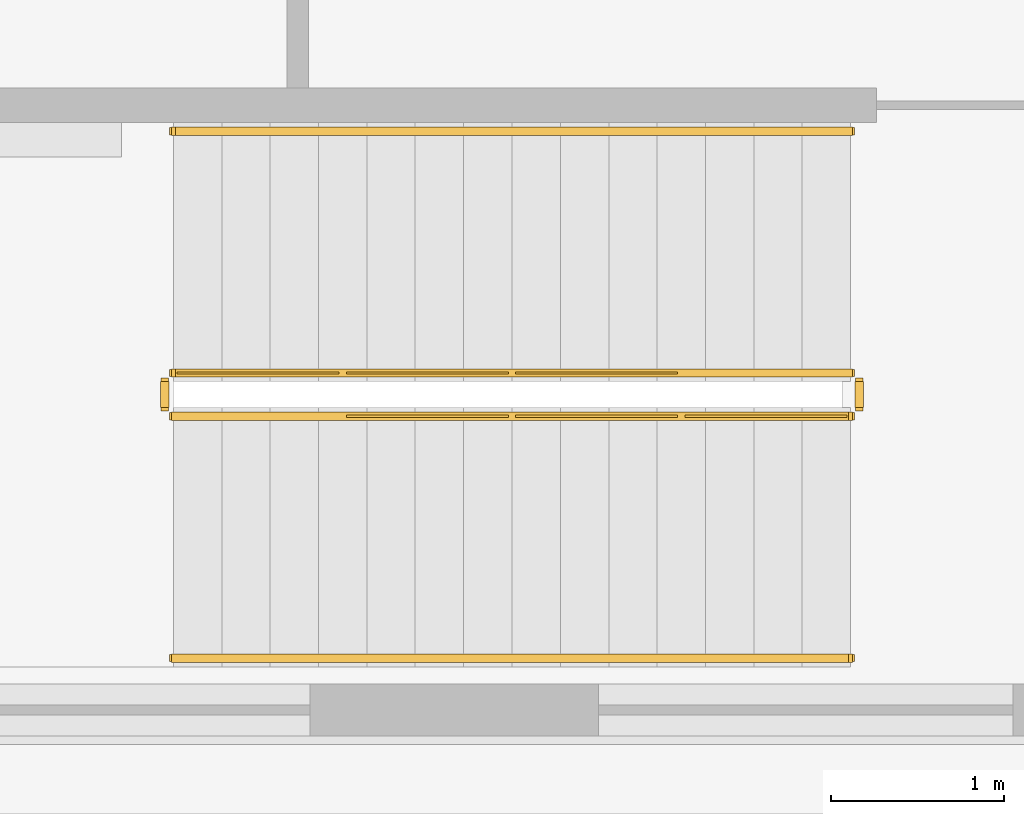
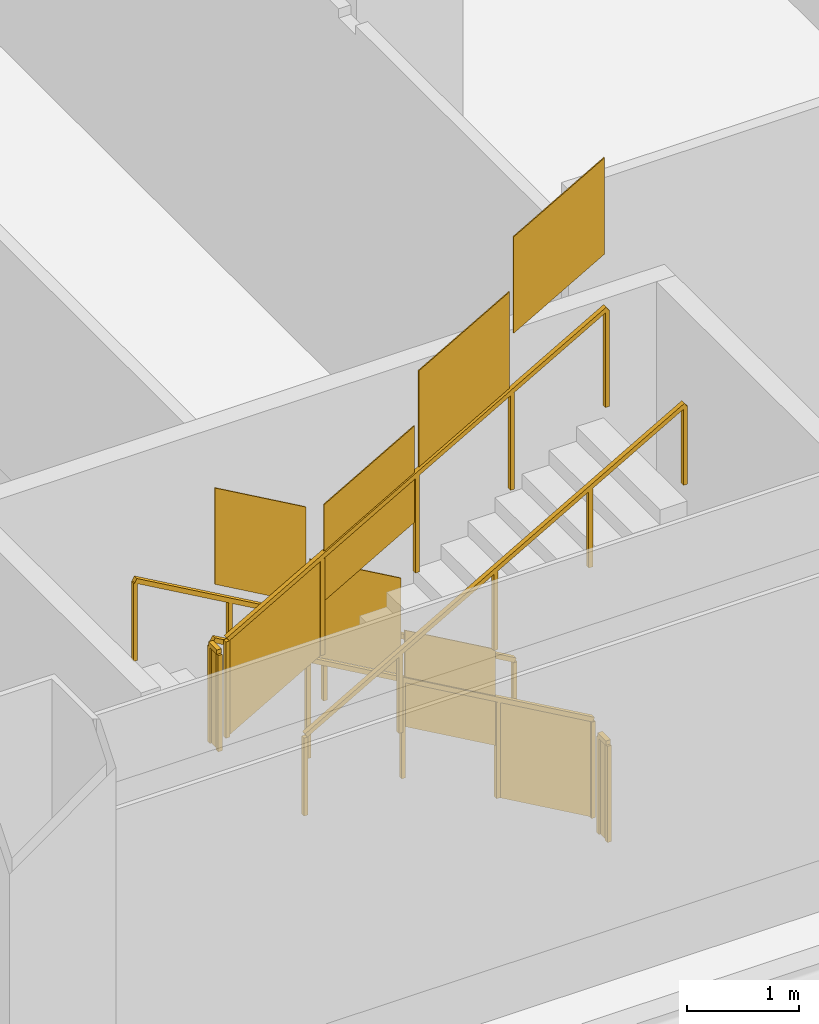
# One storey, part 21 of 26: 6 railings.
"""IFC4 building model written with IfcOpenShell, lengths in metres."""

from ifc_helpers import new_model, si_unit, direction, frame, origin, origin_2d, place, context, subcontext, project, spatial, polyline, rectangle, outline, extrude, material, type_object, element, save


model = new_model("IFC4")

# Units and contexts
model_context = context("Model", 3, precision=1e-05, world=origin(), true_north=direction((0.0, 1.0)))
body_context = subcontext(model_context, "Body", "Model", "MODEL_VIEW")
ifc_project = project(units=[si_unit("LENGTHUNIT", "METRE"), si_unit("AREAUNIT", "SQUARE_METRE"), si_unit("VOLUMEUNIT", "CUBIC_METRE"), si_unit("PLANEANGLEUNIT", "RADIAN"), si_unit("MASSUNIT", "GRAM", prefix="KILO")], contexts=[model_context])

# Site, building, storey
site_placement = place(None, origin())
site = spatial("IfcSite", under=ifc_project, at=site_placement, CompositionType="ELEMENT")
building_placement = place(site_placement, origin())
building = spatial("IfcBuilding", under=site, at=building_placement, Name="Cairn Pilgrim Tower", CompositionType="ELEMENT")
storey_placement = place(building_placement, frame((0.0, 0.0, 25.800048828125)))
storey = spatial("IfcBuildingStorey", under=building, at=storey_placement, Name="L04", CompositionType="ELEMENT", Elevation=25.800048828125)

# Railings
ifc_material = material(Name="Painted steel", Category="steel")
railing_type_1 = type_object("IfcRailingType", Name="PODIUM STAIR GUARD 1100", PredefinedType="GUARDRAIL", material=ifc_material)
railing_1_placement = place(storey_placement, frame((-25.60009765625, -26.25, 0.159912109375)))
element("IfcRailing", 1, at=railing_1_placement, inside=storey, type_object=railing_type_1, Name="L04 ST-HS stair guard 1", PredefinedType="GUARDRAIL", context=body_context, shape_type="SweptSolid", body=[
    extrude(rectangle(XDim=0.048095703125, YDim=0.048095703125, at=origin_2d()), frame((0.0, 0.0, 1.076171875), z_axis=(-0.868239814368, 0.0, 0.496144761885), x_axis=(0.0, -1.0, 0.0)), (0.0, 0.0, 1.0), 4.514892578125),
    extrude(rectangle(XDim=0.0419921875, YDim=0.0419921875, at=origin_2d()), origin(), (0.0, 0.0, 1.0), 1.052001953125),
    extrude(rectangle(XDim=0.0419921875, YDim=0.0419921875, at=origin_2d()), frame((-0.97998046875, 0.0, 0.56005859375)), (0.0, 0.0, 1.0), 1.052001953125),
    extrude(rectangle(XDim=0.0419921875, YDim=0.0419921875, at=origin_2d()), frame((-1.9599609375, 0.0, 1.1201171875)), (0.0, 0.0, 1.0), 1.052001953125),
    extrude(rectangle(XDim=0.0419921875, YDim=0.0419921875, at=origin_2d()), frame((-2.93994140625, 0.0, 1.679931640625)), (0.0, 0.0, 1.0), 1.052001953125),
    extrude(rectangle(XDim=0.0419921875, YDim=0.0419921875, at=origin_2d()), frame((-3.919921875, 0.0, 2.239990234375)), (0.0, 0.0, 1.0), 1.052001953125),
    extrude(outline(polyline([(0.02099609375, 0.011962890625), (0.958984375, 0.548095703125), (0.958984375, 1.60009765625), (0.02099609375, 1.06396484375), (0.02099609375, 0.011962890625)])), frame((0.0, -0.005859375, 0.0), z_axis=(0.0, 1.0, 0.0), x_axis=(-1.0, 0.0, 0.0)), (0.0, 0.0, 1.0), 0.011962890625),
    extrude(outline(polyline([(0.02099609375, 0.572021484375), (0.958984375, 1.10791015625), (0.958984375, 2.159912109375), (0.02099609375, 1.6240234375), (0.02099609375, 0.572021484375)])), frame((-0.97998046875, -0.005859375, 0.56005859375), z_axis=(0.0, 1.0, 0.0), x_axis=(-1.0, 0.0, 0.0)), (0.0, 0.0, 1.0), 0.011962890625),
    extrude(outline(polyline([(0.02099609375, 1.132080078125), (0.958984375, 1.66796875), (0.958984375, 2.719970703125), (0.02099609375, 2.18408203125), (0.02099609375, 1.132080078125)])), frame((-1.9599609375, -0.005859375, 1.1201171875), z_axis=(0.0, 1.0, 0.0), x_axis=(-1.0, 0.0, 0.0)), (0.0, 0.0, 1.0), 0.011962890625),
    extrude(outline(polyline([(0.02099609375, 1.69189453125), (0.958984375, 2.22802734375), (0.958984375, 3.280029296875), (0.02099609375, 2.743896484375), (0.02099609375, 1.69189453125)])), frame((-2.93994140625, -0.005859375, 1.679931640625), z_axis=(0.0, 1.0, 0.0), x_axis=(-1.0, 0.0, 0.0)), (0.0, 0.0, 1.0), 0.011962890625),
])
railing_2_placement = place(storey_placement, frame((-29.570068359375, -26.300048828125, 2.39990234375)))
element("IfcRailing", 2, at=railing_2_placement, inside=storey, type_object=railing_type_1, Name="L04 ST-HS stair guard 2", PredefinedType="GUARDRAIL", context=body_context, shape_type="SweptSolid", body=[
    extrude(rectangle(XDim=0.048095703125, YDim=0.048095703125, at=origin_2d()), frame((0.0, 0.0, 1.076171875), z_axis=(0.0, -1.0, 0.0), x_axis=(1.0, 0.0, 0.0)), (0.0, 0.0, 1.0), 0.14990234375),
    extrude(rectangle(XDim=0.0419921875, YDim=0.0419921875, at=origin_2d()), origin(), (0.0, 0.0, 1.0), 1.052001953125),
    extrude(rectangle(XDim=0.0419921875, YDim=0.0419921875, at=origin_2d()), frame((0.0, -0.14990234375, 0.0)), (0.0, 0.0, 1.0), 1.052001953125),
    extrude(outline(polyline([(0.02099609375, 0.0), (0.12890625, 0.0), (0.12890625, 1.052001953125), (0.02099609375, 1.052001953125), (0.02099609375, 0.0)])), frame((0.005859375, 0.0, 0.0), z_axis=(-1.0, 0.0, 0.0), x_axis=(0.0, -1.0, 0.0)), (0.0, 0.0, 1.0), 0.011962890625),
])
railing_3_placement = place(storey_placement, frame((-29.52001953125, -26.5, 2.56005859375)))
element("IfcRailing", 3, at=railing_3_placement, inside=storey, type_object=railing_type_1, Name="L04 ST-HS stair guard 3", PredefinedType="GUARDRAIL", context=body_context, shape_type="SweptSolid", body=[
    extrude(rectangle(XDim=0.048095703125, YDim=0.048095703125, at=origin_2d()), frame((0.0, 0.0, 1.076171875), z_axis=(0.868239814368, 0.0, 0.496144761885), x_axis=(0.0, 1.0, 0.0)), (0.0, 0.0, 1.0), 4.514892578125),
    extrude(rectangle(XDim=0.0419921875, YDim=0.0419921875, at=origin_2d()), origin(), (0.0, 0.0, 1.0), 1.052001953125),
    extrude(rectangle(XDim=0.0419921875, YDim=0.0419921875, at=origin_2d()), frame((0.97998046875, 0.0, 0.56005859375)), (0.0, 0.0, 1.0), 1.052001953125),
    extrude(rectangle(XDim=0.0419921875, YDim=0.0419921875, at=origin_2d()), frame((1.9599609375, 0.0, 1.1201171875)), (0.0, 0.0, 1.0), 1.052001953125),
    extrude(rectangle(XDim=0.0419921875, YDim=0.0419921875, at=origin_2d()), frame((2.93994140625, 0.0, 1.679931640625)), (0.0, 0.0, 1.0), 1.052001953125),
    extrude(rectangle(XDim=0.0419921875, YDim=0.0419921875, at=origin_2d()), frame((3.919921875, 0.0, 2.239990234375)), (0.0, 0.0, 1.0), 1.052001953125),
    extrude(outline(polyline([(0.02099609375, 0.011962890625), (0.958984375, 0.548095703125), (0.958984375, 1.60009765625), (0.02099609375, 1.06396484375), (0.02099609375, 0.011962890625)])), frame((0.0, 0.005859375, 0.0), z_axis=(0.0, -1.0, 0.0), x_axis=(1.0, 0.0, 0.0)), (0.0, 0.0, 1.0), 0.011962890625),
    extrude(outline(polyline([(0.02099609375, 0.572021484375), (0.958984375, 1.10791015625), (0.958984375, 2.159912109375), (0.02099609375, 1.6240234375), (0.02099609375, 0.572021484375)])), frame((0.97998046875, 0.005859375, 0.56005859375), z_axis=(0.0, -1.0, 0.0), x_axis=(1.0, 0.0, 0.0)), (0.0, 0.0, 1.0), 0.011962890625),
    extrude(outline(polyline([(0.02099609375, 1.132080078125), (0.958984375, 1.66796875), (0.958984375, 2.719970703125), (0.02099609375, 2.18408203125), (0.02099609375, 1.132080078125)])), frame((1.9599609375, 0.005859375, 1.1201171875), z_axis=(0.0, -1.0, 0.0), x_axis=(1.0, 0.0, 0.0)), (0.0, 0.0, 1.0), 0.011962890625),
    extrude(outline(polyline([(0.02099609375, 1.69189453125), (0.958984375, 2.22802734375), (0.958984375, 3.280029296875), (0.02099609375, 2.743896484375), (0.02099609375, 1.69189453125)])), frame((2.93994140625, 0.005859375, 1.679931640625), z_axis=(0.0, -1.0, 0.0), x_axis=(1.0, 0.0, 0.0)), (0.0, 0.0, 1.0), 0.011962890625),
])
railing_4_placement = place(storey_placement, frame((-25.550048828125, -26.300048828125, 0.0)))
element("IfcRailing", 4, at=railing_4_placement, inside=storey, type_object=railing_type_1, Name="L04 ST-HS stair guard 4", PredefinedType="GUARDRAIL", context=body_context, shape_type="SweptSolid", body=[
    extrude(rectangle(XDim=0.048095703125, YDim=0.048095703125, at=origin_2d()), frame((0.0, 0.0, 1.076171875), z_axis=(0.0, -1.0, 0.0), x_axis=(1.0, 0.0, 0.0)), (0.0, 0.0, 1.0), 0.14990234375),
    extrude(rectangle(XDim=0.0419921875, YDim=0.0419921875, at=origin_2d()), origin(), (0.0, 0.0, 1.0), 1.052001953125),
    extrude(rectangle(XDim=0.0419921875, YDim=0.0419921875, at=origin_2d()), frame((0.0, -0.14990234375, 0.0)), (0.0, 0.0, 1.0), 1.052001953125),
    extrude(outline(polyline([(0.02099609375, 0.0), (0.12890625, 0.0), (0.12890625, 1.052001953125), (0.02099609375, 1.052001953125), (0.02099609375, 0.0)])), frame((0.005859375, 0.0, 0.0), z_axis=(-1.0, 0.0, 0.0), x_axis=(0.0, -1.0, 0.0)), (0.0, 0.0, 1.0), 0.011962890625),
])
railing_type_2 = type_object("IfcRailingType", Name="PODIUM STAIR HANDRAIL 900", PredefinedType="HANDRAIL", material=ifc_material)
railing_5_placement = place(storey_placement, frame((-25.60009765625, -24.85009765625, 0.159912109375)))
element("IfcRailing", 5, at=railing_5_placement, inside=storey, type_object=railing_type_2, Name="L04 ST-HS stair handrail 1", PredefinedType="HANDRAIL", context=body_context, shape_type="SweptSolid", body=[
    extrude(rectangle(XDim=0.048095703125, YDim=0.048095703125, at=origin_2d()), frame((0.0, 0.0, 0.8759765625), z_axis=(-0.868239814368, 0.0, 0.496144761885), x_axis=(0.0, -1.0, 0.0)), (0.0, 0.0, 1.0), 4.514892578125),
    extrude(rectangle(XDim=0.0419921875, YDim=0.0419921875, at=origin_2d()), origin(), (0.0, 0.0, 1.0), 0.851806640625),
    extrude(rectangle(XDim=0.0419921875, YDim=0.0419921875, at=origin_2d()), frame((-0.97998046875, 0.0, 0.56005859375)), (0.0, 0.0, 1.0), 0.851806640625),
    extrude(rectangle(XDim=0.0419921875, YDim=0.0419921875, at=origin_2d()), frame((-1.9599609375, 0.0, 1.1201171875)), (0.0, 0.0, 1.0), 0.851806640625),
    extrude(rectangle(XDim=0.0419921875, YDim=0.0419921875, at=origin_2d()), frame((-2.93994140625, 0.0, 1.679931640625)), (0.0, 0.0, 1.0), 0.851806640625),
    extrude(rectangle(XDim=0.0419921875, YDim=0.0419921875, at=origin_2d()), frame((-3.919921875, 0.0, 2.239990234375)), (0.0, 0.0, 1.0), 0.851806640625),
])
railing_6_placement = place(storey_placement, frame((-29.52001953125, -27.89990234375, 2.56005859375)))
element("IfcRailing", 6, at=railing_6_placement, inside=storey, type_object=railing_type_2, Name="L04 ST-HS stair handrail 2", PredefinedType="HANDRAIL", context=body_context, shape_type="SweptSolid", body=[
    extrude(rectangle(XDim=0.048095703125, YDim=0.048095703125, at=origin_2d()), frame((0.0, 0.0, 0.8759765625), z_axis=(0.868239814368, 0.0, 0.496144761885), x_axis=(0.0, 1.0, 0.0)), (0.0, 0.0, 1.0), 4.514892578125),
    extrude(rectangle(XDim=0.0419921875, YDim=0.0419921875, at=origin_2d()), origin(), (0.0, 0.0, 1.0), 0.851806640625),
    extrude(rectangle(XDim=0.0419921875, YDim=0.0419921875, at=origin_2d()), frame((0.97998046875, 0.0, 0.56005859375)), (0.0, 0.0, 1.0), 0.851806640625),
    extrude(rectangle(XDim=0.0419921875, YDim=0.0419921875, at=origin_2d()), frame((1.9599609375, 0.0, 1.1201171875)), (0.0, 0.0, 1.0), 0.851806640625),
    extrude(rectangle(XDim=0.0419921875, YDim=0.0419921875, at=origin_2d()), frame((2.93994140625, 0.0, 1.679931640625)), (0.0, 0.0, 1.0), 0.851806640625),
    extrude(rectangle(XDim=0.0419921875, YDim=0.0419921875, at=origin_2d()), frame((3.919921875, 0.0, 2.239990234375)), (0.0, 0.0, 1.0), 0.851806640625),
])

save(model, "model.ifc")
